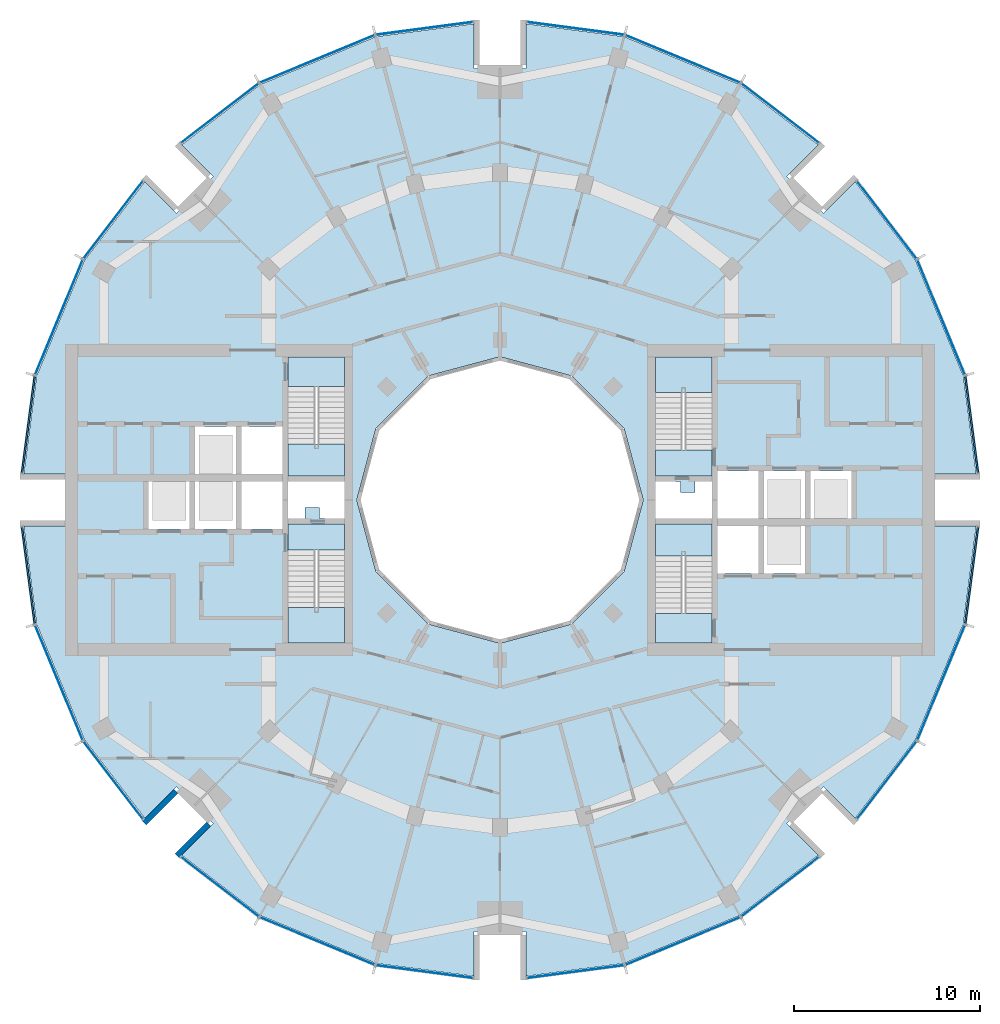
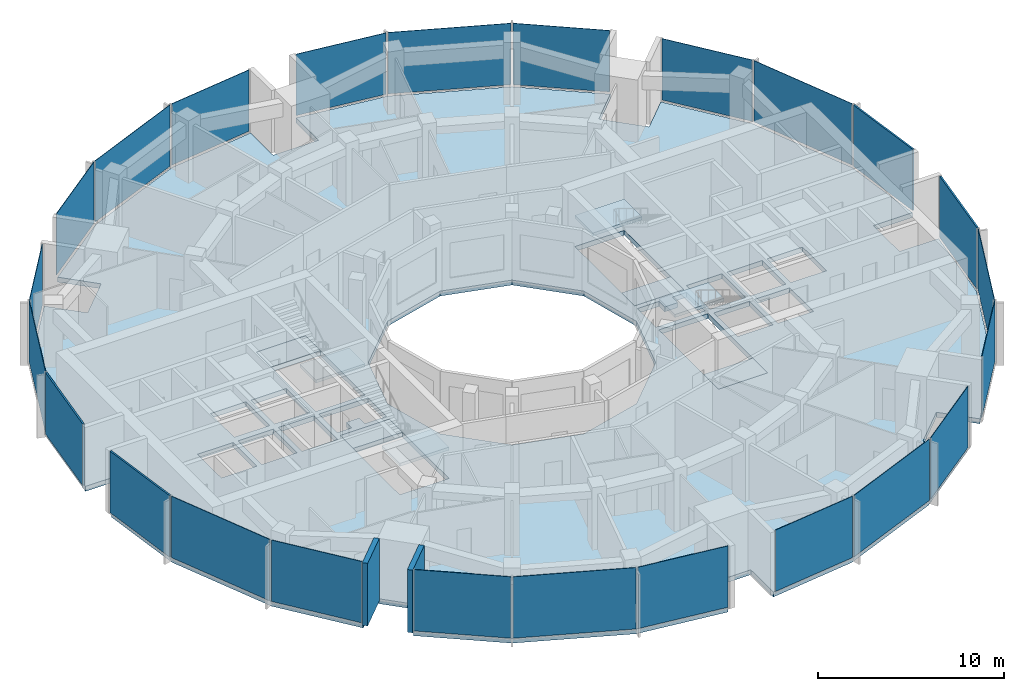
# One storey, part 7 of 15: 24 plates, 9 slabs, 2 walls, 28 elements without a shape of their own.
"""IFC4 building model written with IfcOpenShell, lengths in metres."""

from ifc_helpers import new_model, si_unit, direction, frame, frame_2d, origin, origin_2d, place, context, subcontext, project, spatial, polyline, rectangle, outline, extrude, material, layer, layer_set, type_object, element, aggregate, save


model = new_model("IFC4")

# Units and contexts
model_context = context("Model", 3, precision=1e-05, world=origin(), true_north=direction((0.0, 1.0)))
body_context = subcontext(model_context, "Body", "Model", "MODEL_VIEW")
ifc_project = project(units=[si_unit("LENGTHUNIT", "METRE"), si_unit("AREAUNIT", "SQUARE_METRE"), si_unit("VOLUMEUNIT", "CUBIC_METRE"), si_unit("PLANEANGLEUNIT", "RADIAN"), si_unit("MASSUNIT", "GRAM", prefix="KILO")], contexts=[model_context])

# Site, building, storey
site_placement = place(None, origin())
site = spatial("IfcSite", under=ifc_project, at=site_placement, CompositionType="ELEMENT")
building_placement = place(site_placement, origin())
building = spatial("IfcBuilding", under=site, at=building_placement, Name="Torre Brocal", CompositionType="ELEMENT")
storey_placement = place(building_placement, frame((0.0, 0.0, 190.5)))
storey = spatial("IfcBuildingStorey", under=building, at=storey_placement, Name="L44", CompositionType="ELEMENT", Elevation=190.5)

# Curtain wall, plate
ifc_material_1 = material(Name="Aluminium and glass", Category="aluminium")
ifc_layer_1 = layer(ifc_material_1, 0.199951171875)
ifc_layer_set_1 = layer_set([ifc_layer_1], Name="Aluminium and glass")
curtain_wall_type_1 = type_object("IfcCurtainWallType", Name="CW-1 CURTAIN WALL 4100 HIGH", PredefinedType="NOTDEFINED", material=ifc_layer_set_1)
curtain_wall_1_placement = place(storey_placement, origin())
curtain_wall_1 = element("IfcCurtainWall", 1, at=curtain_wall_1_placement, inside=storey, type_object=curtain_wall_type_1, Name="CW-1 RUN 2", PredefinedType="NOTDEFINED")
ifc_material_2 = material(Name="Glass, dark tinted laminated", Category="glass")
ifc_layer_2 = layer(ifc_material_2, 0.031982421875)
ifc_layer_set_2 = layer_set([ifc_layer_2], Name="Glass, dark tinted laminated")
plate_type_1 = type_object("IfcPlateType", Name="CW-1 GLASS PANEL 32", PredefinedType="CURTAIN_PANEL", material=ifc_layer_set_2)
plate_1_placement = place(storey_placement, frame((103.722900390625, 84.826416015625, 0.080078125), z_axis=(0.0, 0.0, 1.0), x_axis=(-0.382683432333, 0.923879532525, 0.0)))
plate_1 = element("IfcPlate", 2, at=plate_1_placement, type_object=plate_type_1, Name="CW1-4 panel 1.1", PredefinedType="CURTAIN_PANEL", context=body_context, shape_type="SweptSolid", body=[
    extrude(rectangle(XDim=6.64111328125, YDim=0.031982421875, at=origin_2d()), origin(), (0.0, 0.0, 1.0), 4.02001953125),
])
aggregate(curtain_wall_1, [plate_1])

curtain_wall_2_placement = place(storey_placement, origin())
curtain_wall_2 = element("IfcCurtainWall", 3, at=curtain_wall_2_placement, inside=storey, type_object=curtain_wall_type_1, Name="CW-1 RUN 3", PredefinedType="NOTDEFINED")
plate_2_placement = place(storey_placement, frame((100.80126953125, 90.0712890625, 0.080078125), z_axis=(0.0, 0.0, 1.0), x_axis=(-0.60876142905, 0.793353340259, 0.0)))
plate_2 = element("IfcPlate", 4, at=plate_2_placement, type_object=plate_type_1, Name="CW1-4 panel 1.1", PredefinedType="CURTAIN_PANEL", context=body_context, shape_type="SweptSolid", body=[
    extrude(rectangle(XDim=5.22900390625, YDim=0.031982421875, at=origin_2d()), origin(), (0.0, 0.0, 1.0), 4.02001953125),
])
aggregate(curtain_wall_2, [plate_2])

curtain_wall_3_placement = place(storey_placement, origin())
curtain_wall_3 = element("IfcCurtainWall", 5, at=curtain_wall_3_placement, inside=storey, type_object=curtain_wall_type_1, Name="CW-1 RUN 4", PredefinedType="NOTDEFINED")
plate_3_placement = place(storey_placement, frame((95.0712890625, 95.80126953125, 0.080078125), z_axis=(0.0, 0.0, 1.0), x_axis=(-0.793353340259, 0.60876142905, 0.0)))
plate_3 = element("IfcPlate", 6, at=plate_3_placement, type_object=plate_type_1, Name="CW1-4 panel 1.1", PredefinedType="CURTAIN_PANEL", context=body_context, shape_type="SweptSolid", body=[
    extrude(rectangle(XDim=5.22900390625, YDim=0.031982421875, at=origin_2d()), origin(), (0.0, 0.0, 1.0), 4.02001953125),
])
aggregate(curtain_wall_3, [plate_3])

curtain_wall_4_placement = place(storey_placement, origin())
curtain_wall_4 = element("IfcCurtainWall", 7, at=curtain_wall_4_placement, inside=storey, type_object=curtain_wall_type_1, Name="CW-1 RUN 5", PredefinedType="NOTDEFINED")
plate_4_placement = place(storey_placement, frame((89.826416015625, 98.722900390625, 0.080078125), z_axis=(0.0, 0.0, 1.0), x_axis=(-0.923879532525, 0.382683432333, 0.0)))
plate_4 = element("IfcPlate", 8, at=plate_4_placement, type_object=plate_type_1, Name="CW1-4 panel 1.1", PredefinedType="CURTAIN_PANEL", context=body_context, shape_type="SweptSolid", body=[
    extrude(rectangle(XDim=6.64111328125, YDim=0.031982421875, at=origin_2d()), origin(), (0.0, 0.0, 1.0), 4.02001953125),
])
aggregate(curtain_wall_4, [plate_4])

curtain_wall_5_placement = place(storey_placement, origin())
curtain_wall_5 = element("IfcCurtainWall", 9, at=curtain_wall_5_placement, inside=storey, type_object=curtain_wall_type_1, Name="CW-1 RUN 6", PredefinedType="NOTDEFINED")
plate_5_placement = place(storey_placement, frame((84.051513671875, 100.36572265625, 0.080078125), z_axis=(0.0, 0.0, 1.0), x_axis=(-0.991444861374, 0.13052619222, 0.0)))
plate_5 = element("IfcPlate", 10, at=plate_5_placement, type_object=plate_type_1, Name="CW1-4 panel 1.1", PredefinedType="CURTAIN_PANEL", context=body_context, shape_type="SweptSolid", body=[
    extrude(rectangle(XDim=5.22900390625, YDim=0.031982421875, at=origin_2d()), origin(), (0.0, 0.0, 1.0), 4.02001953125),
])
aggregate(curtain_wall_5, [plate_5])

curtain_wall_6_placement = place(storey_placement, origin())
curtain_wall_6 = element("IfcCurtainWall", 11, at=curtain_wall_6_placement, inside=storey, type_object=curtain_wall_type_1, Name="CW-1 RUN 7", PredefinedType="NOTDEFINED")
plate_6_placement = place(storey_placement, frame((75.948486328125, 100.36572265625, 0.080078125), z_axis=(0.0, 0.0, 1.0), x_axis=(-0.991444861374, -0.13052619222, 0.0)))
plate_6 = element("IfcPlate", 12, at=plate_6_placement, type_object=plate_type_1, Name="CW1-4 panel 1.1", PredefinedType="CURTAIN_PANEL", context=body_context, shape_type="SweptSolid", body=[
    extrude(rectangle(XDim=5.22900390625, YDim=0.031982421875, at=origin_2d()), origin(), (0.0, 0.0, 1.0), 4.02001953125),
])
aggregate(curtain_wall_6, [plate_6])

curtain_wall_7_placement = place(storey_placement, origin())
curtain_wall_7 = element("IfcCurtainWall", 13, at=curtain_wall_7_placement, inside=storey, type_object=curtain_wall_type_1, Name="CW-1 RUN 8", PredefinedType="NOTDEFINED")
plate_7_placement = place(storey_placement, frame((70.173583984375, 98.722900390625, 0.080078125), z_axis=(0.0, 0.0, 1.0), x_axis=(-0.923879532525, -0.382683432333, 0.0)))
plate_7 = element("IfcPlate", 14, at=plate_7_placement, type_object=plate_type_1, Name="CW1-4 panel 1.1", PredefinedType="CURTAIN_PANEL", context=body_context, shape_type="SweptSolid", body=[
    extrude(rectangle(XDim=6.64111328125, YDim=0.031982421875, at=origin_2d()), origin(), (0.0, 0.0, 1.0), 4.02001953125),
])
aggregate(curtain_wall_7, [plate_7])

curtain_wall_8_placement = place(storey_placement, origin())
curtain_wall_8 = element("IfcCurtainWall", 15, at=curtain_wall_8_placement, inside=storey, type_object=curtain_wall_type_1, Name="CW-1 RUN 9", PredefinedType="NOTDEFINED")
plate_8_placement = place(storey_placement, frame((64.9287109375, 95.80126953125, 0.080078125), z_axis=(0.0, 0.0, 1.0), x_axis=(-0.793353340259, -0.60876142905, 0.0)))
plate_8 = element("IfcPlate", 16, at=plate_8_placement, type_object=plate_type_1, Name="CW1-4 panel 1.1", PredefinedType="CURTAIN_PANEL", context=body_context, shape_type="SweptSolid", body=[
    extrude(rectangle(XDim=5.22900390625, YDim=0.031982421875, at=origin_2d()), origin(), (0.0, 0.0, 1.0), 4.02001953125),
])
aggregate(curtain_wall_8, [plate_8])

curtain_wall_9_placement = place(storey_placement, origin())
curtain_wall_9 = element("IfcCurtainWall", 17, at=curtain_wall_9_placement, inside=storey, type_object=curtain_wall_type_1, Name="CW-1 RUN 10", PredefinedType="NOTDEFINED")
plate_9_placement = place(storey_placement, frame((59.19873046875, 90.0712890625, 0.080078125), z_axis=(0.0, 0.0, 1.0), x_axis=(-0.60876142905, -0.793353340259, 0.0)))
plate_9 = element("IfcPlate", 18, at=plate_9_placement, type_object=plate_type_1, Name="CW1-4 panel 1.1", PredefinedType="CURTAIN_PANEL", context=body_context, shape_type="SweptSolid", body=[
    extrude(rectangle(XDim=5.22900390625, YDim=0.031982421875, at=origin_2d()), origin(), (0.0, 0.0, 1.0), 4.02001953125),
])
aggregate(curtain_wall_9, [plate_9])

curtain_wall_10_placement = place(storey_placement, origin())
curtain_wall_10 = element("IfcCurtainWall", 19, at=curtain_wall_10_placement, inside=storey, type_object=curtain_wall_type_1, Name="CW-1 RUN 11", PredefinedType="NOTDEFINED")
plate_10_placement = place(storey_placement, frame((56.277099609375, 84.826416015625, 0.080078125), z_axis=(0.0, 0.0, 1.0), x_axis=(-0.382683432333, -0.923879532525, 0.0)))
plate_10 = element("IfcPlate", 20, at=plate_10_placement, type_object=plate_type_1, Name="CW1-4 panel 1.1", PredefinedType="CURTAIN_PANEL", context=body_context, shape_type="SweptSolid", body=[
    extrude(rectangle(XDim=6.64111328125, YDim=0.031982421875, at=origin_2d()), origin(), (0.0, 0.0, 1.0), 4.02001953125),
])
aggregate(curtain_wall_10, [plate_10])

curtain_wall_11_placement = place(storey_placement, origin())
curtain_wall_11 = element("IfcCurtainWall", 21, at=curtain_wall_11_placement, inside=storey, type_object=curtain_wall_type_1, Name="CW-1 RUN 14", PredefinedType="NOTDEFINED")
plate_11_placement = place(storey_placement, frame((56.277099609375, 65.173583984375, 0.080078125), z_axis=(0.0, 0.0, 1.0), x_axis=(0.382683432333, -0.923879532525, 0.0)))
plate_11 = element("IfcPlate", 22, at=plate_11_placement, type_object=plate_type_1, Name="CW1-4 panel 1.1", PredefinedType="CURTAIN_PANEL", context=body_context, shape_type="SweptSolid", body=[
    extrude(rectangle(XDim=6.64111328125, YDim=0.031982421875, at=origin_2d()), origin(), (0.0, 0.0, 1.0), 4.02001953125),
])
aggregate(curtain_wall_11, [plate_11])

curtain_wall_12_placement = place(storey_placement, origin())
curtain_wall_12 = element("IfcCurtainWall", 23, at=curtain_wall_12_placement, inside=storey, type_object=curtain_wall_type_1, Name="CW-1 RUN 15", PredefinedType="NOTDEFINED")
plate_12_placement = place(storey_placement, frame((59.19873046875, 59.9287109375, 0.080078125), z_axis=(0.0, 0.0, 1.0), x_axis=(0.60876142905, -0.793353340259, 0.0)))
plate_12 = element("IfcPlate", 24, at=plate_12_placement, type_object=plate_type_1, Name="CW1-4 panel 1.1", PredefinedType="CURTAIN_PANEL", context=body_context, shape_type="SweptSolid", body=[
    extrude(rectangle(XDim=5.22900390625, YDim=0.031982421875, at=origin_2d()), origin(), (0.0, 0.0, 1.0), 4.02001953125),
])
aggregate(curtain_wall_12, [plate_12])

curtain_wall_13_placement = place(storey_placement, origin())
curtain_wall_13 = element("IfcCurtainWall", 25, at=curtain_wall_13_placement, inside=storey, type_object=curtain_wall_type_1, Name="CW-1 RUN 16", PredefinedType="NOTDEFINED")
plate_13_placement = place(storey_placement, frame((64.9287109375, 54.19873046875, 0.080078125), z_axis=(0.0, 0.0, 1.0), x_axis=(0.793353340259, -0.60876142905, 0.0)))
plate_13 = element("IfcPlate", 26, at=plate_13_placement, type_object=plate_type_1, Name="CW1-4 panel 1.1", PredefinedType="CURTAIN_PANEL", context=body_context, shape_type="SweptSolid", body=[
    extrude(rectangle(XDim=5.22900390625, YDim=0.031982421875, at=origin_2d()), origin(), (0.0, 0.0, 1.0), 4.02001953125),
])
aggregate(curtain_wall_13, [plate_13])

curtain_wall_14_placement = place(storey_placement, origin())
curtain_wall_14 = element("IfcCurtainWall", 27, at=curtain_wall_14_placement, inside=storey, type_object=curtain_wall_type_1, Name="CW-1 RUN 17", PredefinedType="NOTDEFINED")
plate_14_placement = place(storey_placement, frame((70.173583984375, 51.277099609375, 0.080078125), z_axis=(0.0, 0.0, 1.0), x_axis=(0.923879532525, -0.382683432333, 0.0)))
plate_14 = element("IfcPlate", 28, at=plate_14_placement, type_object=plate_type_1, Name="CW1-4 panel 1.1", PredefinedType="CURTAIN_PANEL", context=body_context, shape_type="SweptSolid", body=[
    extrude(rectangle(XDim=6.64111328125, YDim=0.031982421875, at=origin_2d()), origin(), (0.0, 0.0, 1.0), 4.02001953125),
])
aggregate(curtain_wall_14, [plate_14])

curtain_wall_15_placement = place(storey_placement, origin())
curtain_wall_15 = element("IfcCurtainWall", 29, at=curtain_wall_15_placement, inside=storey, type_object=curtain_wall_type_1, Name="CW-1 RUN 18", PredefinedType="NOTDEFINED")
plate_15_placement = place(storey_placement, frame((75.948486328125, 49.63427734375, 0.080078125), z_axis=(0.0, 0.0, 1.0), x_axis=(0.991444861374, -0.13052619222, 0.0)))
plate_15 = element("IfcPlate", 30, at=plate_15_placement, type_object=plate_type_1, Name="CW1-4 panel 1.1", PredefinedType="CURTAIN_PANEL", context=body_context, shape_type="SweptSolid", body=[
    extrude(rectangle(XDim=5.22900390625, YDim=0.031982421875, at=origin_2d()), origin(), (0.0, 0.0, 1.0), 4.02001953125),
])
aggregate(curtain_wall_15, [plate_15])

curtain_wall_16_placement = place(storey_placement, origin())
curtain_wall_16 = element("IfcCurtainWall", 31, at=curtain_wall_16_placement, inside=storey, type_object=curtain_wall_type_1, Name="CW-1 RUN 19", PredefinedType="NOTDEFINED")
plate_16_placement = place(storey_placement, frame((84.051513671875, 49.63427734375, 0.080078125), z_axis=(0.0, 0.0, 1.0), x_axis=(0.991444861374, 0.13052619222, 0.0)))
plate_16 = element("IfcPlate", 32, at=plate_16_placement, type_object=plate_type_1, Name="CW1-4 panel 1.1", PredefinedType="CURTAIN_PANEL", context=body_context, shape_type="SweptSolid", body=[
    extrude(rectangle(XDim=5.22900390625, YDim=0.031982421875, at=origin_2d()), origin(), (0.0, 0.0, 1.0), 4.02001953125),
])
aggregate(curtain_wall_16, [plate_16])

curtain_wall_17_placement = place(storey_placement, origin())
curtain_wall_17 = element("IfcCurtainWall", 33, at=curtain_wall_17_placement, inside=storey, type_object=curtain_wall_type_1, Name="CW-1 RUN 20", PredefinedType="NOTDEFINED")
plate_17_placement = place(storey_placement, frame((89.826416015625, 51.277099609375, 0.080078125), z_axis=(0.0, 0.0, 1.0), x_axis=(0.923879532525, 0.382683432333, 0.0)))
plate_17 = element("IfcPlate", 34, at=plate_17_placement, type_object=plate_type_1, Name="CW1-4 panel 1.1", PredefinedType="CURTAIN_PANEL", context=body_context, shape_type="SweptSolid", body=[
    extrude(rectangle(XDim=6.64111328125, YDim=0.031982421875, at=origin_2d()), origin(), (0.0, 0.0, 1.0), 4.02001953125),
])
aggregate(curtain_wall_17, [plate_17])

curtain_wall_18_placement = place(storey_placement, origin())
curtain_wall_18 = element("IfcCurtainWall", 35, at=curtain_wall_18_placement, inside=storey, type_object=curtain_wall_type_1, Name="CW-1 RUN 21", PredefinedType="NOTDEFINED")
plate_18_placement = place(storey_placement, frame((95.0712890625, 54.19873046875, 0.080078125), z_axis=(0.0, 0.0, 1.0), x_axis=(0.793353340259, 0.60876142905, 0.0)))
plate_18 = element("IfcPlate", 36, at=plate_18_placement, type_object=plate_type_1, Name="CW1-4 panel 1.1", PredefinedType="CURTAIN_PANEL", context=body_context, shape_type="SweptSolid", body=[
    extrude(rectangle(XDim=5.22900390625, YDim=0.031982421875, at=origin_2d()), origin(), (0.0, 0.0, 1.0), 4.02001953125),
])
aggregate(curtain_wall_18, [plate_18])

curtain_wall_19_placement = place(storey_placement, origin())
curtain_wall_19 = element("IfcCurtainWall", 37, at=curtain_wall_19_placement, inside=storey, type_object=curtain_wall_type_1, Name="CW-1 RUN 22", PredefinedType="NOTDEFINED")
plate_19_placement = place(storey_placement, frame((100.80126953125, 59.9287109375, 0.080078125), z_axis=(0.0, 0.0, 1.0), x_axis=(0.60876142905, 0.793353340259, 0.0)))
plate_19 = element("IfcPlate", 38, at=plate_19_placement, type_object=plate_type_1, Name="CW1-4 panel 1.1", PredefinedType="CURTAIN_PANEL", context=body_context, shape_type="SweptSolid", body=[
    extrude(rectangle(XDim=5.22900390625, YDim=0.031982421875, at=origin_2d()), origin(), (0.0, 0.0, 1.0), 4.02001953125),
])
aggregate(curtain_wall_19, [plate_19])

curtain_wall_20_placement = place(storey_placement, origin())
curtain_wall_20 = element("IfcCurtainWall", 39, at=curtain_wall_20_placement, inside=storey, type_object=curtain_wall_type_1, Name="CW-1 RUN 23", PredefinedType="NOTDEFINED")
plate_20_placement = place(storey_placement, frame((103.722900390625, 65.173583984375, 0.080078125), z_axis=(0.0, 0.0, 1.0), x_axis=(0.382683432333, 0.923879532525, 0.0)))
plate_20 = element("IfcPlate", 40, at=plate_20_placement, type_object=plate_type_1, Name="CW1-4 panel 1.1", PredefinedType="CURTAIN_PANEL", context=body_context, shape_type="SweptSolid", body=[
    extrude(rectangle(XDim=6.64111328125, YDim=0.031982421875, at=origin_2d()), origin(), (0.0, 0.0, 1.0), 4.02001953125),
])
aggregate(curtain_wall_20, [plate_20])

ifc_material_3 = material(Name="Aluminium and glass", Category="aluminium")
ifc_layer_3 = layer(ifc_material_3, 0.199951171875)
ifc_layer_set_3 = layer_set([ifc_layer_3], Name="Aluminium and glass")
curtain_wall_type_2 = type_object("IfcCurtainWallType", Name="CW-1B CURTAIN WALL 4100 HIGH", PredefinedType="NOTDEFINED", material=ifc_layer_set_3)
curtain_wall_21_placement = place(storey_placement, origin())
curtain_wall_21 = element("IfcCurtainWall", 41, at=curtain_wall_21_placement, inside=storey, type_object=curtain_wall_type_2, Name="CW-1B RUN 1", PredefinedType="NOTDEFINED")
ifc_material_4 = material(Name="Aluminium composite panel", Category="aluminium")
ifc_layer_4 = layer(ifc_material_4, 0.10009765625)
ifc_layer_set_4 = layer_set([ifc_layer_4], Name="Aluminium composite panel")
plate_type_2 = type_object("IfcPlateType", Name="CW-1B OPAQUE PANEL 100", PredefinedType="CURTAIN_PANEL", material=ifc_layer_set_4)
plate_21_placement = place(storey_placement, frame((105.36572265625, 79.051513671875, 0.080078125), z_axis=(0.0, 0.0, 1.0), x_axis=(-0.13052619222, 0.991444861374, 0.0)))
plate_21 = element("IfcPlate", 42, at=plate_21_placement, type_object=plate_type_2, Name="CW1B-4 panel 1.1", PredefinedType="CURTAIN_PANEL", context=body_context, shape_type="SweptSolid", body=[
    extrude(rectangle(XDim=5.22900390625, YDim=0.10009765625, at=origin_2d()), origin(), (0.0, 0.0, 1.0), 4.02001953125),
])
aggregate(curtain_wall_21, [plate_21])

curtain_wall_22_placement = place(storey_placement, origin())
curtain_wall_22 = element("IfcCurtainWall", 43, at=curtain_wall_22_placement, inside=storey, type_object=curtain_wall_type_2, Name="CW-1B RUN 12", PredefinedType="NOTDEFINED")
plate_22_placement = place(storey_placement, frame((54.63427734375, 79.051513671875, 0.080078125), z_axis=(0.0, 0.0, 1.0), x_axis=(-0.13052619222, -0.991444861374, 0.0)))
plate_22 = element("IfcPlate", 44, at=plate_22_placement, type_object=plate_type_2, Name="CW1B-4 panel 1.1", PredefinedType="CURTAIN_PANEL", context=body_context, shape_type="SweptSolid", body=[
    extrude(rectangle(XDim=5.22900390625, YDim=0.10009765625, at=origin_2d()), origin(), (0.0, 0.0, 1.0), 4.02001953125),
])
aggregate(curtain_wall_22, [plate_22])

curtain_wall_23_placement = place(storey_placement, origin())
curtain_wall_23 = element("IfcCurtainWall", 45, at=curtain_wall_23_placement, inside=storey, type_object=curtain_wall_type_2, Name="CW-1B RUN 13", PredefinedType="NOTDEFINED")
plate_23_placement = place(storey_placement, frame((54.63427734375, 70.948486328125, 0.080078125), z_axis=(0.0, 0.0, 1.0), x_axis=(0.13052619222, -0.991444861374, 0.0)))
plate_23 = element("IfcPlate", 46, at=plate_23_placement, type_object=plate_type_2, Name="CW1B-4 panel 1.1", PredefinedType="CURTAIN_PANEL", context=body_context, shape_type="SweptSolid", body=[
    extrude(rectangle(XDim=5.22900390625, YDim=0.10009765625, at=origin_2d()), origin(), (0.0, 0.0, 1.0), 4.02001953125),
])
aggregate(curtain_wall_23, [plate_23])

curtain_wall_24_placement = place(storey_placement, origin())
curtain_wall_24 = element("IfcCurtainWall", 47, at=curtain_wall_24_placement, inside=storey, type_object=curtain_wall_type_2, Name="CW-1B RUN 24", PredefinedType="NOTDEFINED")
plate_24_placement = place(storey_placement, frame((105.36572265625, 70.948486328125, 0.080078125), z_axis=(0.0, 0.0, 1.0), x_axis=(0.13052619222, 0.991444861374, 0.0)))
plate_24 = element("IfcPlate", 48, at=plate_24_placement, type_object=plate_type_2, Name="CW1B-4 panel 1.1", PredefinedType="CURTAIN_PANEL", context=body_context, shape_type="SweptSolid", body=[
    extrude(rectangle(XDim=5.22900390625, YDim=0.10009765625, at=origin_2d()), origin(), (0.0, 0.0, 1.0), 4.02001953125),
])
aggregate(curtain_wall_24, [plate_24])

# Stair, slab
ifc_material_5 = material(Name="Concrete C50", Category="concrete")
stair_type = type_object("IfcStairType", Name="EXIT STAIR", PredefinedType="HALF_TURN_STAIR", material=ifc_material_5)
stair_1_placement = place(storey_placement, origin())
stair_1 = element("IfcStair", 49, at=stair_1_placement, inside=storey, type_object=stair_type, Name="EXIT STAIR ST1", PredefinedType="HALF_TURN_STAIR")
ifc_material_6 = material(Name="Concrete C50", Category="concrete")
ifc_layer_5 = layer(ifc_material_6, 0.320068359375)
ifc_layer_set_5 = layer_set([ifc_layer_5], Name="Concrete C50")
slab_type_1 = type_object("IfcSlabType", Name="FLOOR LANDING 320", PredefinedType="LANDING", material=ifc_layer_set_5)
slab_1_placement = place(storey_placement, frame((0.0, 0.0, -0.320068359375)))
slab_1 = element("IfcSlab", 50, at=slab_1_placement, type_object=slab_type_1, Name="ST1 landing 1", PredefinedType="LANDING", context=body_context, shape_type="SweptSolid", body=[
    extrude(outline(polyline([(88.35009765625, 76.300048828125), (91.39990234375, 76.300048828125), (91.39990234375, 77.699951171875), (88.35009765625, 77.699951171875), (88.35009765625, 76.300048828125)])), origin(), (0.0, 0.0, 1.0), 0.320068359375),
])

stair_2_placement = place(storey_placement, origin())
stair_2 = element("IfcStair", 51, at=stair_2_placement, inside=storey, type_object=stair_type, Name="EXIT STAIR ST2", PredefinedType="HALF_TURN_STAIR")
slab_2_placement = place(storey_placement, frame((0.0, 0.0, -0.320068359375)))
slab_2 = element("IfcSlab", 52, at=slab_2_placement, type_object=slab_type_1, Name="ST2 landing 1", PredefinedType="LANDING", context=body_context, shape_type="SweptSolid", body=[
    extrude(outline(polyline([(88.35009765625, 67.300048828125), (91.39990234375, 67.300048828125), (91.39990234375, 68.89990234375), (88.35009765625, 68.89990234375), (88.35009765625, 67.300048828125)])), origin(), (0.0, 0.0, 1.0), 0.320068359375),
])

stair_3_placement = place(storey_placement, origin())
stair_3 = element("IfcStair", 53, at=stair_3_placement, inside=storey, type_object=stair_type, Name="EXIT STAIR ST3", PredefinedType="HALF_TURN_STAIR")
slab_3_placement = place(storey_placement, frame((0.0, 0.0, -0.320068359375)))
slab_3 = element("IfcSlab", 54, at=slab_3_placement, type_object=slab_type_1, Name="ST3 landing 1", PredefinedType="LANDING", context=body_context, shape_type="SweptSolid", body=[
    extrude(outline(polyline([(71.64990234375, 73.699951171875), (68.60009765625, 73.699951171875), (68.60009765625, 72.300048828125), (71.64990234375, 72.300048828125), (71.64990234375, 73.699951171875)])), origin(), (0.0, 0.0, 1.0), 0.320068359375),
])

stair_4_placement = place(storey_placement, origin())
stair_4 = element("IfcStair", 55, at=stair_4_placement, inside=storey, type_object=stair_type, Name="EXIT STAIR ST4", PredefinedType="HALF_TURN_STAIR")
slab_4_placement = place(storey_placement, frame((0.0, 0.0, -0.320068359375)))
slab_4 = element("IfcSlab", 56, at=slab_4_placement, type_object=slab_type_1, Name="ST4 landing 1", PredefinedType="LANDING", context=body_context, shape_type="SweptSolid", body=[
    extrude(outline(polyline([(71.64990234375, 82.699951171875), (68.60009765625, 82.699951171875), (68.60009765625, 81.10009765625), (71.64990234375, 81.10009765625), (71.64990234375, 82.699951171875)])), origin(), (0.0, 0.0, 1.0), 0.320068359375),
])

# Slab
ifc_material_7 = material(Name="Concrete C50", Category="concrete")
ifc_layer_6 = layer(ifc_material_7, 0.199951171875)
ifc_layer_set_6 = layer_set([ifc_layer_6], Name="Concrete C50")
slab_type_2 = type_object("IfcSlabType", Name="MID LANDING +2050", PredefinedType="LANDING", material=ifc_layer_set_6)
slab_5_placement = place(storey_placement, frame((0.0, 0.0, 1.85009765625)))
slab_5 = element("IfcSlab", 57, at=slab_5_placement, type_object=slab_type_2, Name="ST1 landing 2", PredefinedType="LANDING", context=body_context, shape_type="SweptSolid", body=[
    extrude(outline(polyline([(88.35009765625, 80.780029296875), (91.39990234375, 80.780029296875), (91.39990234375, 82.699951171875), (88.35009765625, 82.699951171875), (88.35009765625, 80.780029296875)])), origin(), (0.0, 0.0, 1.0), 0.199951171875),
])

aggregate(stair_1, [slab_1, slab_5])

slab_6_placement = place(storey_placement, frame((0.0, 0.0, 1.85009765625)))
slab_6 = element("IfcSlab", 58, at=slab_6_placement, type_object=slab_type_2, Name="ST2 landing 2", PredefinedType="LANDING", context=body_context, shape_type="SweptSolid", body=[
    extrude(outline(polyline([(88.35009765625, 71.97998046875), (91.39990234375, 71.97998046875), (91.39990234375, 73.699951171875), (88.35009765625, 73.699951171875), (88.35009765625, 71.97998046875)])), origin(), (0.0, 0.0, 1.0), 0.199951171875),
])

aggregate(stair_2, [slab_2, slab_6])

slab_7_placement = place(storey_placement, frame((0.0, 0.0, 1.85009765625)))
slab_7 = element("IfcSlab", 59, at=slab_7_placement, type_object=slab_type_2, Name="ST3 landing 2", PredefinedType="LANDING", context=body_context, shape_type="SweptSolid", body=[
    extrude(outline(polyline([(71.64990234375, 69.219970703125), (68.60009765625, 69.219970703125), (68.60009765625, 67.300048828125), (71.64990234375, 67.300048828125), (71.64990234375, 69.219970703125)])), origin(), (0.0, 0.0, 1.0), 0.199951171875),
])

aggregate(stair_3, [slab_3, slab_7])

slab_8_placement = place(storey_placement, frame((0.0, 0.0, 1.85009765625)))
slab_8 = element("IfcSlab", 60, at=slab_8_placement, type_object=slab_type_2, Name="ST4 landing 2", PredefinedType="LANDING", context=body_context, shape_type="SweptSolid", body=[
    extrude(outline(polyline([(71.64990234375, 78.02001953125), (68.60009765625, 78.02001953125), (68.60009765625, 76.300048828125), (71.64990234375, 76.300048828125), (71.64990234375, 78.02001953125)])), origin(), (0.0, 0.0, 1.0), 0.199951171875),
])

aggregate(stair_4, [slab_4, slab_8])

ifc_material_8 = material(Name="Concrete C45", Category="concrete")
ifc_layer_7 = layer(ifc_material_8, 0.320068359375)
ifc_layer_set_7 = layer_set([ifc_layer_7], Name="Concrete C45")
slab_type_3 = type_object("IfcSlabType", Name="PT FLOOR SLAB 320 C45", PredefinedType="FLOOR", material=ifc_layer_set_7)
slab_9_placement = place(storey_placement, frame((0.0, 0.0, -0.320068359375)))
element("IfcSlab", 61, at=slab_9_placement, inside=storey, type_object=slab_type_3, Name="Slab ST-05", PredefinedType="FLOOR", context=body_context, shape_type="SweptSolid", body=[
    extrude(outline(polyline([(103.199951171875, 76.39990234375), (103.199951171875, 73.60009765625), (105.614013671875, 73.60009765625), (104.919189453125, 68.322998046875), (102.342041015625, 62.100830078125), (99.101806640625, 57.878173828125), (97.394775390625, 59.5849609375), (95.4150390625, 57.605224609375), (97.121826171875, 55.898193359375), (92.899169921875, 52.657958984375), (86.677001953125, 50.080810546875), (81.39990234375, 49.385986328125), (81.39990234375, 51.800048828125), (78.60009765625, 51.800048828125), (78.60009765625, 49.385986328125), (73.322998046875, 50.080810546875), (67.100830078125, 52.657958984375), (62.878173828125, 55.898193359375), (64.5849609375, 57.605224609375), (62.605224609375, 59.5849609375), (60.898193359375, 57.878173828125), (57.657958984375, 62.100830078125), (55.080810546875, 68.322998046875), (54.385986328125, 73.60009765625), (56.800048828125, 73.60009765625), (56.800048828125, 76.39990234375), (54.385986328125, 76.39990234375), (55.080810546875, 81.677001953125), (57.657958984375, 87.899169921875), (60.898193359375, 92.121826171875), (62.605224609375, 90.4150390625), (64.5849609375, 92.394775390625), (62.878173828125, 94.101806640625), (67.100830078125, 97.342041015625), (73.322998046875, 99.919189453125), (78.60009765625, 100.614013671875), (78.60009765625, 98.199951171875), (81.39990234375, 98.199951171875), (81.39990234375, 100.614013671875), (86.677001953125, 99.919189453125), (92.899169921875, 97.342041015625), (97.121826171875, 94.101806640625), (95.4150390625, 92.394775390625), (97.394775390625, 90.4150390625), (99.101806640625, 92.121826171875), (102.342041015625, 87.899169921875), (104.919189453125, 81.677001953125), (105.614013671875, 76.39990234375), (103.199951171875, 76.39990234375)]), holes=[polyline([(98.89990234375, 76.550048828125), (96.699951171875, 76.550048828125), (96.699951171875, 74.0), (98.89990234375, 74.0), (98.89990234375, 76.550048828125)]), polyline([(96.39990234375, 76.550048828125), (94.199951171875, 76.550048828125), (94.199951171875, 74.0), (96.39990234375, 74.0), (96.39990234375, 76.550048828125)]), polyline([(96.39990234375, 73.60009765625), (94.199951171875, 73.60009765625), (94.199951171875, 71.050048828125), (96.39990234375, 71.050048828125), (96.39990234375, 73.60009765625)]), polyline([(93.89990234375, 76.550048828125), (91.699951171875, 76.550048828125), (91.699951171875, 74.0), (93.89990234375, 74.0), (93.89990234375, 76.550048828125)]), polyline([(93.89990234375, 73.60009765625), (91.699951171875, 73.60009765625), (91.699951171875, 71.050048828125), (93.89990234375, 71.050048828125), (93.89990234375, 73.60009765625)]), polyline([(89.699951171875, 76.0), (88.35009765625, 76.0), (88.35009765625, 74.0), (91.39990234375, 74.0), (91.39990234375, 76.0), (90.5, 76.0), (90.5, 75.39990234375), (89.699951171875, 75.39990234375), (89.699951171875, 76.0)]), polyline([(91.39990234375, 82.699951171875), (88.35009765625, 82.699951171875), (88.35009765625, 76.300048828125), (91.39990234375, 76.300048828125), (91.39990234375, 82.699951171875)]), polyline([(91.39990234375, 73.699951171875), (88.35009765625, 73.699951171875), (88.35009765625, 67.300048828125), (91.39990234375, 67.300048828125), (91.39990234375, 73.699951171875)]), polyline([(80.0, 82.70703125), (76.146484375, 81.674560546875), (73.325439453125, 78.853515625), (72.29296875, 75.0), (73.325439453125, 71.146484375), (76.146484375, 68.325439453125), (80.0, 67.29296875), (83.853515625, 68.325439453125), (86.674560546875, 71.146484375), (87.70703125, 75.0), (86.674560546875, 78.853515625), (83.853515625, 81.674560546875), (80.0, 82.70703125)]), polyline([(70.300048828125, 74.0), (71.64990234375, 74.0), (71.64990234375, 76.0), (68.60009765625, 76.0), (68.60009765625, 74.0), (69.5, 74.0), (69.5, 74.60009765625), (70.300048828125, 74.60009765625), (70.300048828125, 74.0)]), polyline([(68.60009765625, 76.300048828125), (71.64990234375, 76.300048828125), (71.64990234375, 82.699951171875), (68.60009765625, 82.699951171875), (68.60009765625, 76.300048828125)]), polyline([(68.60009765625, 67.300048828125), (71.64990234375, 67.300048828125), (71.64990234375, 73.699951171875), (68.60009765625, 73.699951171875), (68.60009765625, 67.300048828125)]), polyline([(66.10009765625, 76.39990234375), (68.300048828125, 76.39990234375), (68.300048828125, 78.949951171875), (66.10009765625, 78.949951171875), (66.10009765625, 76.39990234375)]), polyline([(66.10009765625, 73.449951171875), (68.300048828125, 73.449951171875), (68.300048828125, 76.0), (66.10009765625, 76.0), (66.10009765625, 73.449951171875)]), polyline([(63.60009765625, 76.39990234375), (65.800048828125, 76.39990234375), (65.800048828125, 78.949951171875), (63.60009765625, 78.949951171875), (63.60009765625, 76.39990234375)]), polyline([(63.60009765625, 73.449951171875), (65.800048828125, 73.449951171875), (65.800048828125, 76.0), (63.60009765625, 76.0), (63.60009765625, 73.449951171875)]), polyline([(61.10009765625, 73.449951171875), (63.300048828125, 73.449951171875), (63.300048828125, 76.0), (61.10009765625, 76.0), (61.10009765625, 73.449951171875)])]), origin(), (0.0, 0.0, 1.0), 0.320068359375),
])

# Walls
ifc_material_9 = material(Name="Concrete C70", Category="concrete")
ifc_layer_8 = layer(ifc_material_9, 0.300048828125)
ifc_layer_set_8 = layer_set([ifc_layer_8], Name="Concrete C70")
wall_type = type_object("IfcWallType", Name="NOTCH RETURN WALL 300 C70", PredefinedType="NOTDEFINED", material=ifc_layer_set_8)
for number, where, z_axis, x_axis, name in (
    (62, (62.56982421875, 59.337646484375, 0.0), (0.0, 0.0, 1.0), (-0.707106781187, -0.707106781187, 0.0), "NOTCH RETURN WALL"),
    (63, (64.337646484375, 57.56982421875, 0.0), (0.0, 0.0, 1.0), (-0.707106781187, -0.707106781187, 0.0), "NOTCH RETURN WALL"),
):
    element("IfcWall", number, at=place(storey_placement, frame(where, z_axis=z_axis, x_axis=x_axis)), inside=storey, type_object=wall_type, Name=name, PredefinedType="NOTDEFINED", context=body_context, shape_type="SweptSolid", body=[
        extrude(rectangle(XDim=2.415771484375, YDim=0.300048828125, at=frame_2d((1.2080078125, 0.0))), origin(), (0.0, 0.0, 1.0), 4.10009765625),
    ])

save(model, "model.ifc")
